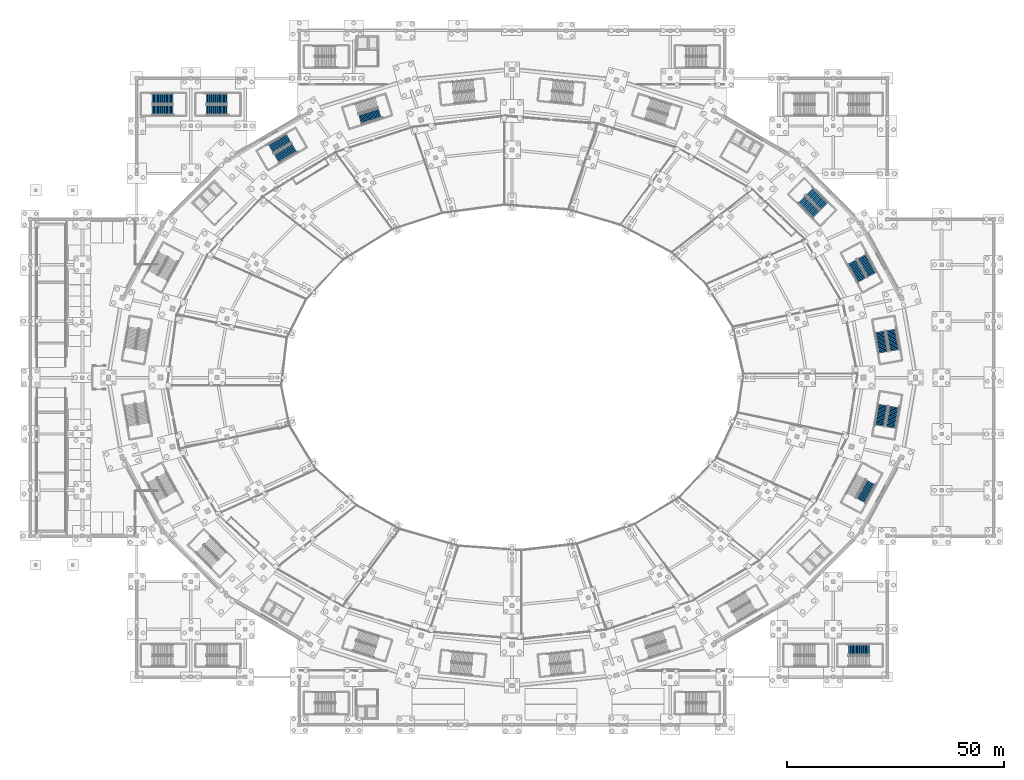
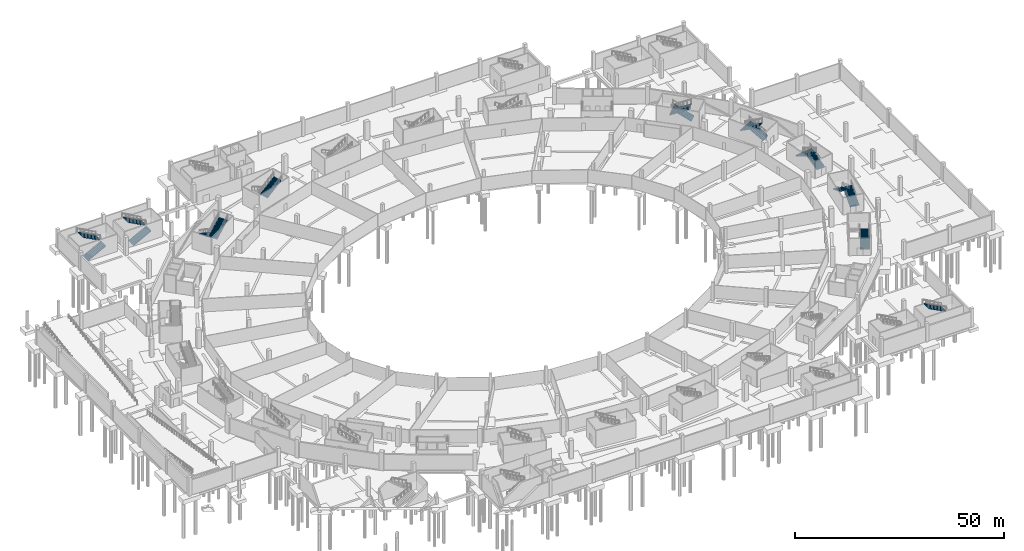
# One storey, part 50 of 74: 17 stair flights, 10 elements without a shape of their own.
"""IFC4 building model written with IfcOpenShell, lengths in metres."""

from ifc_helpers import new_model, si_unit, direction, frame, origin, place, context, subcontext, project, spatial, polyline, outline, extrude, material, type_object, element, aggregate, save


model = new_model("IFC4")

# Units and contexts
model_context = context("Model", 3, precision=1e-05, world=origin(), true_north=direction((0.0, 1.0)))
body_context = subcontext(model_context, "Body", "Model", "MODEL_VIEW")
ifc_project = project(units=[si_unit("LENGTHUNIT", "METRE"), si_unit("AREAUNIT", "SQUARE_METRE"), si_unit("VOLUMEUNIT", "CUBIC_METRE"), si_unit("PLANEANGLEUNIT", "RADIAN"), si_unit("MASSUNIT", "GRAM", prefix="KILO")], contexts=[model_context])

# Site, building, storey
site_placement = place(None, origin())
site = spatial("IfcSite", under=ifc_project, at=site_placement, CompositionType="ELEMENT")
building_placement = place(site_placement, origin())
building = spatial("IfcBuilding", under=site, at=building_placement, Name="Zlatoyarsky Gate Stadium", CompositionType="ELEMENT")
storey_placement = place(building_placement, frame((0.0, 0.0, -5.39990234375)))
storey = spatial("IfcBuildingStorey", under=building, at=storey_placement, Name="B1", CompositionType="ELEMENT", Elevation=-5.39990234375)

# Stair, stair flights
ifc_material = material(Name="Concrete C40/50", Category="concrete")
stair_type = type_object("IfcStairType", Name="CONCRETE DOGLEG EXIT STAIR H5400", PredefinedType="TWO_STRAIGHT_RUN_STAIR", material=ifc_material)
stair_1_placement = place(storey_placement, origin())
stair_1 = element("IfcStair", 1, at=stair_1_placement, inside=storey, type_object=stair_type, Name="B1 Exit Stair ST-01", PredefinedType="TWO_STRAIGHT_RUN_STAIR")
stair_flight_type = type_object("IfcStairFlightType", Name="CONCRETE STAIR FLIGHT 2400 H5400", PredefinedType="STRAIGHT", material=ifc_material)
stair_flight_1_placement = place(storey_placement, frame((199.19287109375, 86.28125, 0.0), z_axis=(0.0, 0.0, 1.0), x_axis=(-0.169937754623, 0.985454798331, 0.0)))
stair_flight_1 = element("IfcStairFlight", 2, at=stair_flight_1_placement, type_object=stair_flight_type, Name="ST-DG54 flight 1", NumberOfRisers=17, NumberOfTreads=16, PredefinedType="STRAIGHT", RiserHeight=0.158823529, TreadLength=0.3, context=body_context, shape_type="SweptSolid", body=[
    extrude(outline(polyline([(-0.006103515625, -0.180908203125), (-0.006103515625, 0.0), (0.0, 0.0), (0.0, 0.158935546875), (0.300048828125, 0.158935546875), (0.300048828125, 0.317626953125), (0.60009765625, 0.317626953125), (0.60009765625, 0.4765625), (0.89990234375, 0.4765625), (0.89990234375, 0.63525390625), (1.199951171875, 0.63525390625), (1.199951171875, 0.794189453125), (1.5, 0.794189453125), (1.5, 0.952880859375), (1.800048828125, 0.952880859375), (1.800048828125, 1.11181640625), (2.10009765625, 1.11181640625), (2.10009765625, 1.2705078125), (2.39990234375, 1.2705078125), (2.39990234375, 1.429443359375), (2.699951171875, 1.429443359375), (2.699951171875, 1.588134765625), (3.0, 1.588134765625), (3.0, 1.7470703125), (3.300048828125, 1.7470703125), (3.300048828125, 1.90576171875), (3.60009765625, 1.90576171875), (3.60009765625, 2.064697265625), (3.89990234375, 2.064697265625), (3.89990234375, 2.2236328125), (4.199951171875, 2.2236328125), (4.199951171875, 2.38232421875), (4.5, 2.38232421875), (4.5, 2.541259765625), (4.800048828125, 2.541259765625), (4.800048828125, 2.699951171875), (4.805908203125, 2.699951171875), (4.805908203125, 2.3603515625), (4.800048828125, 2.3603515625), (-0.006103515625, -0.180908203125)])), frame((0.0, 1.199951171875, 0.0), z_axis=(0.0, -1.0, 0.0), x_axis=(1.0, 0.0, 0.0)), (0.0, 0.0, 1.0), 2.39990234375),
])
stair_flight_2_placement = place(storey_placement, frame((195.81494140625, 90.569580078125, 2.699951171875), z_axis=(0.0, 0.0, 1.0), x_axis=(0.169937754623, -0.985454798331, 0.0)))
stair_flight_2 = element("IfcStairFlight", 3, at=stair_flight_2_placement, type_object=stair_flight_type, Name="ST-DG54 flight 2", NumberOfRisers=17, NumberOfTreads=16, PredefinedType="STRAIGHT", RiserHeight=0.158823529, TreadLength=0.3, context=body_context, shape_type="SweptSolid", body=[
    extrude(outline(polyline([(-0.006103515625, -0.180908203125), (-0.006103515625, 0.0), (0.0, 0.0), (0.0, 0.158935546875), (0.300048828125, 0.158935546875), (0.300048828125, 0.317626953125), (0.60009765625, 0.317626953125), (0.60009765625, 0.4765625), (0.89990234375, 0.4765625), (0.89990234375, 0.63525390625), (1.199951171875, 0.63525390625), (1.199951171875, 0.794189453125), (1.5, 0.794189453125), (1.5, 0.952880859375), (1.800048828125, 0.952880859375), (1.800048828125, 1.11181640625), (2.10009765625, 1.11181640625), (2.10009765625, 1.2705078125), (2.39990234375, 1.2705078125), (2.39990234375, 1.429443359375), (2.699951171875, 1.429443359375), (2.699951171875, 1.588134765625), (3.0, 1.588134765625), (3.0, 1.7470703125), (3.300048828125, 1.7470703125), (3.300048828125, 1.90576171875), (3.60009765625, 1.90576171875), (3.60009765625, 2.064697265625), (3.89990234375, 2.064697265625), (3.89990234375, 2.2236328125), (4.199951171875, 2.2236328125), (4.199951171875, 2.38232421875), (4.5, 2.38232421875), (4.5, 2.541259765625), (4.800048828125, 2.541259765625), (4.800048828125, 2.699951171875), (4.805908203125, 2.699951171875), (4.805908203125, 2.3603515625), (4.800048828125, 2.3603515625), (-0.006103515625, -0.180908203125)])), frame((0.0, 1.199951171875, 0.0), z_axis=(0.0, -1.0, 0.0), x_axis=(1.0, 0.0, 0.0)), (0.0, 0.0, 1.0), 2.39990234375),
])
aggregate(stair_1, [stair_flight_1, stair_flight_2])

stair_2_placement = place(storey_placement, origin())
stair_2 = element("IfcStair", 4, at=stair_2_placement, inside=storey, type_object=stair_type, Name="B1 Exit Stair ST-02", PredefinedType="TWO_STRAIGHT_RUN_STAIR")
stair_flight_3_placement = place(storey_placement, frame((182.98193359375, 119.49658203125, 0.0), z_axis=(0.0, 0.0, 1.0), x_axis=(-0.708901395436, 0.70530760066, 0.0)))
stair_flight_3 = element("IfcStairFlight", 5, at=stair_flight_3_placement, type_object=stair_flight_type, Name="ST-DG54 flight 1", NumberOfRisers=17, NumberOfTreads=16, PredefinedType="STRAIGHT", RiserHeight=0.158823529, TreadLength=0.3, context=body_context, shape_type="SweptSolid", body=[
    extrude(outline(polyline([(-0.006103515625, -0.180908203125), (-0.006103515625, 0.0), (0.0, 0.0), (0.0, 0.158935546875), (0.300048828125, 0.158935546875), (0.300048828125, 0.317626953125), (0.60009765625, 0.317626953125), (0.60009765625, 0.4765625), (0.89990234375, 0.4765625), (0.89990234375, 0.63525390625), (1.199951171875, 0.63525390625), (1.199951171875, 0.794189453125), (1.5, 0.794189453125), (1.5, 0.952880859375), (1.800048828125, 0.952880859375), (1.800048828125, 1.11181640625), (2.10009765625, 1.11181640625), (2.10009765625, 1.2705078125), (2.39990234375, 1.2705078125), (2.39990234375, 1.429443359375), (2.699951171875, 1.429443359375), (2.699951171875, 1.588134765625), (3.0, 1.588134765625), (3.0, 1.7470703125), (3.300048828125, 1.7470703125), (3.300048828125, 1.90576171875), (3.60009765625, 1.90576171875), (3.60009765625, 2.064697265625), (3.89990234375, 2.064697265625), (3.89990234375, 2.2236328125), (4.199951171875, 2.2236328125), (4.199951171875, 2.38232421875), (4.5, 2.38232421875), (4.5, 2.541259765625), (4.800048828125, 2.541259765625), (4.800048828125, 2.699951171875), (4.805908203125, 2.699951171875), (4.805908203125, 2.3603515625), (4.800048828125, 2.3603515625), (-0.006103515625, -0.180908203125)])), frame((0.0, 1.199951171875, 0.0), z_axis=(0.0, -1.0, 0.0), x_axis=(1.0, 0.0, 0.0)), (0.0, 0.0, 1.0), 2.39990234375),
])
stair_flight_4_placement = place(storey_placement, frame((177.745361328125, 121.0390625, 2.699951171875), z_axis=(0.0, 0.0, 1.0), x_axis=(0.708901395436, -0.70530760066, 0.0)))
stair_flight_4 = element("IfcStairFlight", 6, at=stair_flight_4_placement, type_object=stair_flight_type, Name="ST-DG54 flight 2", NumberOfRisers=17, NumberOfTreads=16, PredefinedType="STRAIGHT", RiserHeight=0.158823529, TreadLength=0.3, context=body_context, shape_type="SweptSolid", body=[
    extrude(outline(polyline([(-0.006103515625, -0.180908203125), (-0.006103515625, 0.0), (0.0, 0.0), (0.0, 0.158935546875), (0.300048828125, 0.158935546875), (0.300048828125, 0.317626953125), (0.60009765625, 0.317626953125), (0.60009765625, 0.4765625), (0.89990234375, 0.4765625), (0.89990234375, 0.63525390625), (1.199951171875, 0.63525390625), (1.199951171875, 0.794189453125), (1.5, 0.794189453125), (1.5, 0.952880859375), (1.800048828125, 0.952880859375), (1.800048828125, 1.11181640625), (2.10009765625, 1.11181640625), (2.10009765625, 1.2705078125), (2.39990234375, 1.2705078125), (2.39990234375, 1.429443359375), (2.699951171875, 1.429443359375), (2.699951171875, 1.588134765625), (3.0, 1.588134765625), (3.0, 1.7470703125), (3.300048828125, 1.7470703125), (3.300048828125, 1.90576171875), (3.60009765625, 1.90576171875), (3.60009765625, 2.064697265625), (3.89990234375, 2.064697265625), (3.89990234375, 2.2236328125), (4.199951171875, 2.2236328125), (4.199951171875, 2.38232421875), (4.5, 2.38232421875), (4.5, 2.541259765625), (4.800048828125, 2.541259765625), (4.800048828125, 2.699951171875), (4.805908203125, 2.699951171875), (4.805908203125, 2.3603515625), (4.800048828125, 2.3603515625), (-0.006103515625, -0.180908203125)])), frame((0.0, 1.199951171875, 0.0), z_axis=(0.0, -1.0, 0.0), x_axis=(1.0, 0.0, 0.0)), (0.0, 0.0, 1.0), 2.39990234375),
])
aggregate(stair_2, [stair_flight_3, stair_flight_4])

stair_3_placement = place(storey_placement, origin())
stair_3 = element("IfcStair", 7, at=stair_3_placement, inside=storey, type_object=stair_type, Name="B1 Exit Stair ST-05", PredefinedType="TWO_STRAIGHT_RUN_STAIR")
stair_flight_5_placement = place(storey_placement, frame((59.540771484375, 135.1689453125, 0.0), z_axis=(0.0, 0.0, 1.0), x_axis=(-0.86284821159, -0.505463118096, 0.0)))
stair_flight_5 = element("IfcStairFlight", 8, at=stair_flight_5_placement, type_object=stair_flight_type, Name="ST-DG54 flight 1", NumberOfRisers=17, NumberOfTreads=16, PredefinedType="STRAIGHT", RiserHeight=0.158823529, TreadLength=0.3, context=body_context, shape_type="SweptSolid", body=[
    extrude(outline(polyline([(-0.006103515625, -0.180908203125), (-0.006103515625, 0.0), (0.0, 0.0), (0.0, 0.158935546875), (0.300048828125, 0.158935546875), (0.300048828125, 0.317626953125), (0.60009765625, 0.317626953125), (0.60009765625, 0.4765625), (0.89990234375, 0.4765625), (0.89990234375, 0.63525390625), (1.199951171875, 0.63525390625), (1.199951171875, 0.794189453125), (1.5, 0.794189453125), (1.5, 0.952880859375), (1.800048828125, 0.952880859375), (1.800048828125, 1.11181640625), (2.10009765625, 1.11181640625), (2.10009765625, 1.2705078125), (2.39990234375, 1.2705078125), (2.39990234375, 1.429443359375), (2.699951171875, 1.429443359375), (2.699951171875, 1.588134765625), (3.0, 1.588134765625), (3.0, 1.7470703125), (3.300048828125, 1.7470703125), (3.300048828125, 1.90576171875), (3.60009765625, 1.90576171875), (3.60009765625, 2.064697265625), (3.89990234375, 2.064697265625), (3.89990234375, 2.2236328125), (4.199951171875, 2.2236328125), (4.199951171875, 2.38232421875), (4.5, 2.38232421875), (4.5, 2.541259765625), (4.800048828125, 2.541259765625), (4.800048828125, 2.699951171875), (4.805908203125, 2.699951171875), (4.805908203125, 2.3603515625), (4.800048828125, 2.3603515625), (-0.006103515625, -0.180908203125)])), frame((0.0, 1.199951171875, 0.0), z_axis=(0.0, -1.0, 0.0), x_axis=(1.0, 0.0, 0.0)), (0.0, 0.0, 1.0), 2.39990234375),
])
stair_flight_6_placement = place(storey_placement, frame((56.71337890625, 130.499267578125, 2.699951171875), z_axis=(0.0, 0.0, 1.0), x_axis=(0.86284821159, 0.505463118096, 0.0)))
stair_flight_6 = element("IfcStairFlight", 9, at=stair_flight_6_placement, type_object=stair_flight_type, Name="ST-DG54 flight 2", NumberOfRisers=17, NumberOfTreads=16, PredefinedType="STRAIGHT", RiserHeight=0.158823529, TreadLength=0.3, context=body_context, shape_type="SweptSolid", body=[
    extrude(outline(polyline([(-0.006103515625, -0.180908203125), (-0.006103515625, 0.0), (0.0, 0.0), (0.0, 0.158935546875), (0.300048828125, 0.158935546875), (0.300048828125, 0.317626953125), (0.60009765625, 0.317626953125), (0.60009765625, 0.4765625), (0.89990234375, 0.4765625), (0.89990234375, 0.63525390625), (1.199951171875, 0.63525390625), (1.199951171875, 0.794189453125), (1.5, 0.794189453125), (1.5, 0.952880859375), (1.800048828125, 0.952880859375), (1.800048828125, 1.11181640625), (2.10009765625, 1.11181640625), (2.10009765625, 1.2705078125), (2.39990234375, 1.2705078125), (2.39990234375, 1.429443359375), (2.699951171875, 1.429443359375), (2.699951171875, 1.588134765625), (3.0, 1.588134765625), (3.0, 1.7470703125), (3.300048828125, 1.7470703125), (3.300048828125, 1.90576171875), (3.60009765625, 1.90576171875), (3.60009765625, 2.064697265625), (3.89990234375, 2.064697265625), (3.89990234375, 2.2236328125), (4.199951171875, 2.2236328125), (4.199951171875, 2.38232421875), (4.5, 2.38232421875), (4.5, 2.541259765625), (4.800048828125, 2.541259765625), (4.800048828125, 2.699951171875), (4.805908203125, 2.699951171875), (4.805908203125, 2.3603515625), (4.800048828125, 2.3603515625), (-0.006103515625, -0.180908203125)])), frame((0.0, 1.199951171875, 0.0), z_axis=(0.0, -1.0, 0.0), x_axis=(1.0, 0.0, 0.0)), (0.0, 0.0, 1.0), 2.39990234375),
])
aggregate(stair_3, [stair_flight_5, stair_flight_6])

# Stair, stair flight
stair_4_placement = place(storey_placement, origin())
stair_4 = element("IfcStair", 10, at=stair_4_placement, inside=storey, type_object=stair_type, Name="B1 Exit Stair ST-12", PredefinedType="TWO_STRAIGHT_RUN_STAIR")
stair_flight_7_placement = place(storey_placement, frame((191.4482421875, 51.62646484375, 0.0), z_axis=(0.0, 0.0, 1.0), x_axis=(0.476890318595, 0.878962811518, 0.0)))
stair_flight_7 = element("IfcStairFlight", 11, at=stair_flight_7_placement, type_object=stair_flight_type, Name="ST-DG54 flight 1", NumberOfRisers=17, NumberOfTreads=16, PredefinedType="STRAIGHT", RiserHeight=0.158823529, TreadLength=0.3, context=body_context, shape_type="SweptSolid", body=[
    extrude(outline(polyline([(-0.006103515625, -0.180908203125), (-0.006103515625, 0.0), (0.0, 0.0), (0.0, 0.158935546875), (0.300048828125, 0.158935546875), (0.300048828125, 0.317626953125), (0.60009765625, 0.317626953125), (0.60009765625, 0.4765625), (0.89990234375, 0.4765625), (0.89990234375, 0.63525390625), (1.199951171875, 0.63525390625), (1.199951171875, 0.794189453125), (1.5, 0.794189453125), (1.5, 0.952880859375), (1.800048828125, 0.952880859375), (1.800048828125, 1.11181640625), (2.10009765625, 1.11181640625), (2.10009765625, 1.2705078125), (2.39990234375, 1.2705078125), (2.39990234375, 1.429443359375), (2.699951171875, 1.429443359375), (2.699951171875, 1.588134765625), (3.0, 1.588134765625), (3.0, 1.7470703125), (3.300048828125, 1.7470703125), (3.300048828125, 1.90576171875), (3.60009765625, 1.90576171875), (3.60009765625, 2.064697265625), (3.89990234375, 2.064697265625), (3.89990234375, 2.2236328125), (4.199951171875, 2.2236328125), (4.199951171875, 2.38232421875), (4.5, 2.38232421875), (4.5, 2.541259765625), (4.800048828125, 2.541259765625), (4.800048828125, 2.699951171875), (4.805908203125, 2.699951171875), (4.805908203125, 2.3603515625), (4.800048828125, 2.3603515625), (-0.006103515625, -0.180908203125)])), frame((0.0, 1.199951171875, 0.0), z_axis=(0.0, -1.0, 0.0), x_axis=(1.0, 0.0, 0.0)), (0.0, 0.0, 1.0), 2.39990234375),
])
aggregate(stair_4, [stair_flight_7])

# Stair, stair flights
stair_5_placement = place(storey_placement, origin())
stair_5 = element("IfcStair", 12, at=stair_5_placement, inside=storey, type_object=stair_type, Name="B1 Exit Stair ST-13", PredefinedType="TWO_STRAIGHT_RUN_STAIR")
stair_flight_8_placement = place(storey_placement, frame((193.9755859375, 103.715087890625, 0.0), z_axis=(0.0, 0.0, 1.0), x_axis=(-0.476890318595, 0.878962811518, 0.0)))
stair_flight_8 = element("IfcStairFlight", 13, at=stair_flight_8_placement, type_object=stair_flight_type, Name="ST-DG54 flight 1", NumberOfRisers=17, NumberOfTreads=16, PredefinedType="STRAIGHT", RiserHeight=0.158823529, TreadLength=0.3, context=body_context, shape_type="SweptSolid", body=[
    extrude(outline(polyline([(-0.006103515625, -0.180908203125), (-0.006103515625, 0.0), (0.0, 0.0), (0.0, 0.158935546875), (0.300048828125, 0.158935546875), (0.300048828125, 0.317626953125), (0.60009765625, 0.317626953125), (0.60009765625, 0.4765625), (0.89990234375, 0.4765625), (0.89990234375, 0.63525390625), (1.199951171875, 0.63525390625), (1.199951171875, 0.794189453125), (1.5, 0.794189453125), (1.5, 0.952880859375), (1.800048828125, 0.952880859375), (1.800048828125, 1.11181640625), (2.10009765625, 1.11181640625), (2.10009765625, 1.2705078125), (2.39990234375, 1.2705078125), (2.39990234375, 1.429443359375), (2.699951171875, 1.429443359375), (2.699951171875, 1.588134765625), (3.0, 1.588134765625), (3.0, 1.7470703125), (3.300048828125, 1.7470703125), (3.300048828125, 1.90576171875), (3.60009765625, 1.90576171875), (3.60009765625, 2.064697265625), (3.89990234375, 2.064697265625), (3.89990234375, 2.2236328125), (4.199951171875, 2.2236328125), (4.199951171875, 2.38232421875), (4.5, 2.38232421875), (4.5, 2.541259765625), (4.800048828125, 2.541259765625), (4.800048828125, 2.699951171875), (4.805908203125, 2.699951171875), (4.805908203125, 2.3603515625), (4.800048828125, 2.3603515625), (-0.006103515625, -0.180908203125)])), frame((0.0, 1.199951171875, 0.0), z_axis=(0.0, -1.0, 0.0), x_axis=(1.0, 0.0, 0.0)), (0.0, 0.0, 1.0), 2.39990234375),
])
stair_flight_9_placement = place(storey_placement, frame((189.4013671875, 106.694091796875, 2.699951171875), z_axis=(0.0, 0.0, 1.0), x_axis=(0.476890318595, -0.878962811518, 0.0)))
stair_flight_9 = element("IfcStairFlight", 14, at=stair_flight_9_placement, type_object=stair_flight_type, Name="ST-DG54 flight 2", NumberOfRisers=17, NumberOfTreads=16, PredefinedType="STRAIGHT", RiserHeight=0.158823529, TreadLength=0.3, context=body_context, shape_type="SweptSolid", body=[
    extrude(outline(polyline([(-0.006103515625, -0.180908203125), (-0.006103515625, 0.0), (0.0, 0.0), (0.0, 0.158935546875), (0.300048828125, 0.158935546875), (0.300048828125, 0.317626953125), (0.60009765625, 0.317626953125), (0.60009765625, 0.4765625), (0.89990234375, 0.4765625), (0.89990234375, 0.63525390625), (1.199951171875, 0.63525390625), (1.199951171875, 0.794189453125), (1.5, 0.794189453125), (1.5, 0.952880859375), (1.800048828125, 0.952880859375), (1.800048828125, 1.11181640625), (2.10009765625, 1.11181640625), (2.10009765625, 1.2705078125), (2.39990234375, 1.2705078125), (2.39990234375, 1.429443359375), (2.699951171875, 1.429443359375), (2.699951171875, 1.588134765625), (3.0, 1.588134765625), (3.0, 1.7470703125), (3.300048828125, 1.7470703125), (3.300048828125, 1.90576171875), (3.60009765625, 1.90576171875), (3.60009765625, 2.064697265625), (3.89990234375, 2.064697265625), (3.89990234375, 2.2236328125), (4.199951171875, 2.2236328125), (4.199951171875, 2.38232421875), (4.5, 2.38232421875), (4.5, 2.541259765625), (4.800048828125, 2.541259765625), (4.800048828125, 2.699951171875), (4.805908203125, 2.699951171875), (4.805908203125, 2.3603515625), (4.800048828125, 2.3603515625), (-0.006103515625, -0.180908203125)])), frame((0.0, 1.199951171875, 0.0), z_axis=(0.0, -1.0, 0.0), x_axis=(1.0, 0.0, 0.0)), (0.0, 0.0, 1.0), 2.39990234375),
])
aggregate(stair_5, [stair_flight_8, stair_flight_9])

# Stair, stair flight
stair_6_placement = place(storey_placement, origin())
stair_6 = element("IfcStair", 15, at=stair_6_placement, inside=storey, type_object=stair_type, Name="B1 Exit Stair ST-14", PredefinedType="TWO_STRAIGHT_RUN_STAIR")
stair_flight_10_placement = place(storey_placement, frame((75.96923828125, 139.49169921875, 2.699951171875), z_axis=(0.0, 0.0, 1.0), x_axis=(0.953463118711, 0.301509670257, 0.0)))
stair_flight_10 = element("IfcStairFlight", 16, at=stair_flight_10_placement, type_object=stair_flight_type, Name="ST-DG54 flight 2", NumberOfRisers=17, NumberOfTreads=16, PredefinedType="STRAIGHT", RiserHeight=0.158823529, TreadLength=0.3, context=body_context, shape_type="SweptSolid", body=[
    extrude(outline(polyline([(-0.006103515625, -0.180908203125), (-0.006103515625, 0.0), (0.0, 0.0), (0.0, 0.158935546875), (0.300048828125, 0.158935546875), (0.300048828125, 0.317626953125), (0.60009765625, 0.317626953125), (0.60009765625, 0.4765625), (0.89990234375, 0.4765625), (0.89990234375, 0.63525390625), (1.199951171875, 0.63525390625), (1.199951171875, 0.794189453125), (1.5, 0.794189453125), (1.5, 0.952880859375), (1.800048828125, 0.952880859375), (1.800048828125, 1.11181640625), (2.10009765625, 1.11181640625), (2.10009765625, 1.2705078125), (2.39990234375, 1.2705078125), (2.39990234375, 1.429443359375), (2.699951171875, 1.429443359375), (2.699951171875, 1.588134765625), (3.0, 1.588134765625), (3.0, 1.7470703125), (3.300048828125, 1.7470703125), (3.300048828125, 1.90576171875), (3.60009765625, 1.90576171875), (3.60009765625, 2.064697265625), (3.89990234375, 2.064697265625), (3.89990234375, 2.2236328125), (4.199951171875, 2.2236328125), (4.199951171875, 2.38232421875), (4.5, 2.38232421875), (4.5, 2.541259765625), (4.800048828125, 2.541259765625), (4.800048828125, 2.699951171875), (4.805908203125, 2.699951171875), (4.805908203125, 2.3603515625), (4.800048828125, 2.3603515625), (-0.006103515625, -0.180908203125)])), frame((0.0, 1.199951171875, 0.0), z_axis=(0.0, -1.0, 0.0), x_axis=(1.0, 0.0, 0.0)), (0.0, 0.0, 1.0), 2.39990234375),
])
aggregate(stair_6, [stair_flight_10])

# Stair, stair flights
stair_7_placement = place(storey_placement, origin())
stair_7 = element("IfcStair", 17, at=stair_7_placement, inside=storey, type_object=stair_type, Name="B1 Exit Stair ST-20", PredefinedType="TWO_STRAIGHT_RUN_STAIR")
stair_flight_11_placement = place(storey_placement, frame((198.292236328125, 68.495849609375, 0.0), z_axis=(0.0, 0.0, 1.0), x_axis=(0.169937754623, 0.985454798331, 0.0)))
stair_flight_11 = element("IfcStairFlight", 18, at=stair_flight_11_placement, type_object=stair_flight_type, Name="ST-DG54 flight 1", NumberOfRisers=17, NumberOfTreads=16, PredefinedType="STRAIGHT", RiserHeight=0.158823529, TreadLength=0.3, context=body_context, shape_type="SweptSolid", body=[
    extrude(outline(polyline([(-0.006103515625, -0.180908203125), (-0.006103515625, 0.0), (0.0, 0.0), (0.0, 0.158935546875), (0.300048828125, 0.158935546875), (0.300048828125, 0.317626953125), (0.60009765625, 0.317626953125), (0.60009765625, 0.4765625), (0.89990234375, 0.4765625), (0.89990234375, 0.63525390625), (1.199951171875, 0.63525390625), (1.199951171875, 0.794189453125), (1.5, 0.794189453125), (1.5, 0.952880859375), (1.800048828125, 0.952880859375), (1.800048828125, 1.11181640625), (2.10009765625, 1.11181640625), (2.10009765625, 1.2705078125), (2.39990234375, 1.2705078125), (2.39990234375, 1.429443359375), (2.699951171875, 1.429443359375), (2.699951171875, 1.588134765625), (3.0, 1.588134765625), (3.0, 1.7470703125), (3.300048828125, 1.7470703125), (3.300048828125, 1.90576171875), (3.60009765625, 1.90576171875), (3.60009765625, 2.064697265625), (3.89990234375, 2.064697265625), (3.89990234375, 2.2236328125), (4.199951171875, 2.2236328125), (4.199951171875, 2.38232421875), (4.5, 2.38232421875), (4.5, 2.541259765625), (4.800048828125, 2.541259765625), (4.800048828125, 2.699951171875), (4.805908203125, 2.699951171875), (4.805908203125, 2.3603515625), (4.800048828125, 2.3603515625), (-0.006103515625, -0.180908203125)])), frame((0.0, 1.199951171875, 0.0), z_axis=(0.0, -1.0, 0.0), x_axis=(1.0, 0.0, 0.0)), (0.0, 0.0, 1.0), 2.39990234375),
])
stair_flight_12_placement = place(storey_placement, frame((196.545654296875, 73.66796875, 2.699951171875), z_axis=(0.0, 0.0, 1.0), x_axis=(-0.169937754623, -0.985454798331, 0.0)))
stair_flight_12 = element("IfcStairFlight", 19, at=stair_flight_12_placement, type_object=stair_flight_type, Name="ST-DG54 flight 2", NumberOfRisers=17, NumberOfTreads=16, PredefinedType="STRAIGHT", RiserHeight=0.158823529, TreadLength=0.3, context=body_context, shape_type="SweptSolid", body=[
    extrude(outline(polyline([(-0.006103515625, -0.180908203125), (-0.006103515625, 0.0), (0.0, 0.0), (0.0, 0.158935546875), (0.300048828125, 0.158935546875), (0.300048828125, 0.317626953125), (0.60009765625, 0.317626953125), (0.60009765625, 0.4765625), (0.89990234375, 0.4765625), (0.89990234375, 0.63525390625), (1.199951171875, 0.63525390625), (1.199951171875, 0.794189453125), (1.5, 0.794189453125), (1.5, 0.952880859375), (1.800048828125, 0.952880859375), (1.800048828125, 1.11181640625), (2.10009765625, 1.11181640625), (2.10009765625, 1.2705078125), (2.39990234375, 1.2705078125), (2.39990234375, 1.429443359375), (2.699951171875, 1.429443359375), (2.699951171875, 1.588134765625), (3.0, 1.588134765625), (3.0, 1.7470703125), (3.300048828125, 1.7470703125), (3.300048828125, 1.90576171875), (3.60009765625, 1.90576171875), (3.60009765625, 2.064697265625), (3.89990234375, 2.064697265625), (3.89990234375, 2.2236328125), (4.199951171875, 2.2236328125), (4.199951171875, 2.38232421875), (4.5, 2.38232421875), (4.5, 2.541259765625), (4.800048828125, 2.541259765625), (4.800048828125, 2.699951171875), (4.805908203125, 2.699951171875), (4.805908203125, 2.3603515625), (4.800048828125, 2.3603515625), (-0.006103515625, -0.180908203125)])), frame((0.0, 1.199951171875, 0.0), z_axis=(0.0, -1.0, 0.0), x_axis=(1.0, 0.0, 0.0)), (0.0, 0.0, 1.0), 2.39990234375),
])
aggregate(stair_7, [stair_flight_11, stair_flight_12])

# Stair, stair flight
stair_8_placement = place(storey_placement, origin())
stair_8 = element("IfcStair", 20, at=stair_8_placement, inside=storey, type_object=stair_type, Name="B1 Exit Stair ST-24", PredefinedType="TWO_STRAIGHT_RUN_STAIR")
stair_flight_13_placement = place(storey_placement, frame((193.35009765625, 17.300048828125, 2.699951171875), z_axis=(0.0, 0.0, 1.0), x_axis=(-1.0, 0.0, 0.0)))
stair_flight_13 = element("IfcStairFlight", 21, at=stair_flight_13_placement, type_object=stair_flight_type, Name="ST-DG54 flight 2", NumberOfRisers=17, NumberOfTreads=16, PredefinedType="STRAIGHT", RiserHeight=0.158823529, TreadLength=0.3, context=body_context, shape_type="SweptSolid", body=[
    extrude(outline(polyline([(-0.006103515625, -0.180908203125), (-0.006103515625, 0.0), (0.0, 0.0), (0.0, 0.158935546875), (0.300048828125, 0.158935546875), (0.300048828125, 0.317626953125), (0.60009765625, 0.317626953125), (0.60009765625, 0.4765625), (0.89990234375, 0.4765625), (0.89990234375, 0.63525390625), (1.199951171875, 0.63525390625), (1.199951171875, 0.794189453125), (1.5, 0.794189453125), (1.5, 0.952880859375), (1.800048828125, 0.952880859375), (1.800048828125, 1.11181640625), (2.10009765625, 1.11181640625), (2.10009765625, 1.2705078125), (2.39990234375, 1.2705078125), (2.39990234375, 1.429443359375), (2.699951171875, 1.429443359375), (2.699951171875, 1.588134765625), (3.0, 1.588134765625), (3.0, 1.7470703125), (3.300048828125, 1.7470703125), (3.300048828125, 1.90576171875), (3.60009765625, 1.90576171875), (3.60009765625, 2.064697265625), (3.89990234375, 2.064697265625), (3.89990234375, 2.2236328125), (4.199951171875, 2.2236328125), (4.199951171875, 2.38232421875), (4.5, 2.38232421875), (4.5, 2.541259765625), (4.800048828125, 2.541259765625), (4.800048828125, 2.699951171875), (4.805908203125, 2.699951171875), (4.805908203125, 2.3603515625), (4.800048828125, 2.3603515625), (-0.006103515625, -0.180908203125)])), frame((0.0, 1.199951171875, 0.0), z_axis=(0.0, -1.0, 0.0), x_axis=(1.0, 0.0, 0.0)), (0.0, 0.0, 1.0), 2.39990234375),
])
aggregate(stair_8, [stair_flight_13])

# Stair, stair flights
stair_9_placement = place(storey_placement, origin())
stair_9 = element("IfcStair", 22, at=stair_9_placement, inside=storey, type_object=stair_type, Name="B1 Exit Stair ST-25", PredefinedType="TWO_STRAIGHT_RUN_STAIR")
stair_flight_14_placement = place(storey_placement, frame((28.050048828125, 141.699951171875, 0.0), z_axis=(0.0, 0.0, 1.0), x_axis=(1.0, 0.0, 0.0)))
stair_flight_14 = element("IfcStairFlight", 23, at=stair_flight_14_placement, type_object=stair_flight_type, Name="ST-DG54 flight 1", NumberOfRisers=17, NumberOfTreads=16, PredefinedType="STRAIGHT", RiserHeight=0.158823529, TreadLength=0.3, context=body_context, shape_type="SweptSolid", body=[
    extrude(outline(polyline([(-0.006103515625, -0.180908203125), (-0.006103515625, 0.0), (0.0, 0.0), (0.0, 0.158935546875), (0.300048828125, 0.158935546875), (0.300048828125, 0.317626953125), (0.60009765625, 0.317626953125), (0.60009765625, 0.4765625), (0.89990234375, 0.4765625), (0.89990234375, 0.63525390625), (1.199951171875, 0.63525390625), (1.199951171875, 0.794189453125), (1.5, 0.794189453125), (1.5, 0.952880859375), (1.800048828125, 0.952880859375), (1.800048828125, 1.11181640625), (2.10009765625, 1.11181640625), (2.10009765625, 1.2705078125), (2.39990234375, 1.2705078125), (2.39990234375, 1.429443359375), (2.699951171875, 1.429443359375), (2.699951171875, 1.588134765625), (3.0, 1.588134765625), (3.0, 1.7470703125), (3.300048828125, 1.7470703125), (3.300048828125, 1.90576171875), (3.60009765625, 1.90576171875), (3.60009765625, 2.064697265625), (3.89990234375, 2.064697265625), (3.89990234375, 2.2236328125), (4.199951171875, 2.2236328125), (4.199951171875, 2.38232421875), (4.5, 2.38232421875), (4.5, 2.541259765625), (4.800048828125, 2.541259765625), (4.800048828125, 2.699951171875), (4.805908203125, 2.699951171875), (4.805908203125, 2.3603515625), (4.800048828125, 2.3603515625), (-0.006103515625, -0.180908203125)])), frame((0.0, 1.199951171875, 0.0), z_axis=(0.0, -1.0, 0.0), x_axis=(1.0, 0.0, 0.0)), (0.0, 0.0, 1.0), 2.39990234375),
])
stair_flight_15_placement = place(storey_placement, frame((32.85009765625, 144.300048828125, 2.699951171875), z_axis=(0.0, 0.0, 1.0), x_axis=(-1.0, 0.0, 0.0)))
stair_flight_15 = element("IfcStairFlight", 24, at=stair_flight_15_placement, type_object=stair_flight_type, Name="ST-DG54 flight 2", NumberOfRisers=17, NumberOfTreads=16, PredefinedType="STRAIGHT", RiserHeight=0.158823529, TreadLength=0.3, context=body_context, shape_type="SweptSolid", body=[
    extrude(outline(polyline([(-0.006103515625, -0.180908203125), (-0.006103515625, 0.0), (0.0, 0.0), (0.0, 0.158935546875), (0.300048828125, 0.158935546875), (0.300048828125, 0.317626953125), (0.60009765625, 0.317626953125), (0.60009765625, 0.4765625), (0.89990234375, 0.4765625), (0.89990234375, 0.63525390625), (1.199951171875, 0.63525390625), (1.199951171875, 0.794189453125), (1.5, 0.794189453125), (1.5, 0.952880859375), (1.800048828125, 0.952880859375), (1.800048828125, 1.11181640625), (2.10009765625, 1.11181640625), (2.10009765625, 1.2705078125), (2.39990234375, 1.2705078125), (2.39990234375, 1.429443359375), (2.699951171875, 1.429443359375), (2.699951171875, 1.588134765625), (3.0, 1.588134765625), (3.0, 1.7470703125), (3.300048828125, 1.7470703125), (3.300048828125, 1.90576171875), (3.60009765625, 1.90576171875), (3.60009765625, 2.064697265625), (3.89990234375, 2.064697265625), (3.89990234375, 2.2236328125), (4.199951171875, 2.2236328125), (4.199951171875, 2.38232421875), (4.5, 2.38232421875), (4.5, 2.541259765625), (4.800048828125, 2.541259765625), (4.800048828125, 2.699951171875), (4.805908203125, 2.699951171875), (4.805908203125, 2.3603515625), (4.800048828125, 2.3603515625), (-0.006103515625, -0.180908203125)])), frame((0.0, 1.199951171875, 0.0), z_axis=(0.0, -1.0, 0.0), x_axis=(1.0, 0.0, 0.0)), (0.0, 0.0, 1.0), 2.39990234375),
])
aggregate(stair_9, [stair_flight_14, stair_flight_15])

stair_10_placement = place(storey_placement, origin())
stair_10 = element("IfcStair", 25, at=stair_10_placement, inside=storey, type_object=stair_type, Name="B1 Exit Stair ST-26", PredefinedType="TWO_STRAIGHT_RUN_STAIR")
stair_flight_16_placement = place(storey_placement, frame((40.550048828125, 141.699951171875, 0.0), z_axis=(0.0, 0.0, 1.0), x_axis=(1.0, 0.0, 0.0)))
stair_flight_16 = element("IfcStairFlight", 26, at=stair_flight_16_placement, type_object=stair_flight_type, Name="ST-DG54 flight 1", NumberOfRisers=17, NumberOfTreads=16, PredefinedType="STRAIGHT", RiserHeight=0.158823529, TreadLength=0.3, context=body_context, shape_type="SweptSolid", body=[
    extrude(outline(polyline([(-0.006103515625, -0.180908203125), (-0.006103515625, 0.0), (0.0, 0.0), (0.0, 0.158935546875), (0.300048828125, 0.158935546875), (0.300048828125, 0.317626953125), (0.60009765625, 0.317626953125), (0.60009765625, 0.4765625), (0.89990234375, 0.4765625), (0.89990234375, 0.63525390625), (1.199951171875, 0.63525390625), (1.199951171875, 0.794189453125), (1.5, 0.794189453125), (1.5, 0.952880859375), (1.800048828125, 0.952880859375), (1.800048828125, 1.11181640625), (2.10009765625, 1.11181640625), (2.10009765625, 1.2705078125), (2.39990234375, 1.2705078125), (2.39990234375, 1.429443359375), (2.699951171875, 1.429443359375), (2.699951171875, 1.588134765625), (3.0, 1.588134765625), (3.0, 1.7470703125), (3.300048828125, 1.7470703125), (3.300048828125, 1.90576171875), (3.60009765625, 1.90576171875), (3.60009765625, 2.064697265625), (3.89990234375, 2.064697265625), (3.89990234375, 2.2236328125), (4.199951171875, 2.2236328125), (4.199951171875, 2.38232421875), (4.5, 2.38232421875), (4.5, 2.541259765625), (4.800048828125, 2.541259765625), (4.800048828125, 2.699951171875), (4.805908203125, 2.699951171875), (4.805908203125, 2.3603515625), (4.800048828125, 2.3603515625), (-0.006103515625, -0.180908203125)])), frame((0.0, 1.199951171875, 0.0), z_axis=(0.0, -1.0, 0.0), x_axis=(1.0, 0.0, 0.0)), (0.0, 0.0, 1.0), 2.39990234375),
])
stair_flight_17_placement = place(storey_placement, frame((45.35009765625, 144.300048828125, 2.699951171875), z_axis=(0.0, 0.0, 1.0), x_axis=(-1.0, 0.0, 0.0)))
stair_flight_17 = element("IfcStairFlight", 27, at=stair_flight_17_placement, type_object=stair_flight_type, Name="ST-DG54 flight 2", NumberOfRisers=17, NumberOfTreads=16, PredefinedType="STRAIGHT", RiserHeight=0.158823529, TreadLength=0.3, context=body_context, shape_type="SweptSolid", body=[
    extrude(outline(polyline([(-0.006103515625, -0.180908203125), (-0.006103515625, 0.0), (0.0, 0.0), (0.0, 0.158935546875), (0.300048828125, 0.158935546875), (0.300048828125, 0.317626953125), (0.60009765625, 0.317626953125), (0.60009765625, 0.4765625), (0.89990234375, 0.4765625), (0.89990234375, 0.63525390625), (1.199951171875, 0.63525390625), (1.199951171875, 0.794189453125), (1.5, 0.794189453125), (1.5, 0.952880859375), (1.800048828125, 0.952880859375), (1.800048828125, 1.11181640625), (2.10009765625, 1.11181640625), (2.10009765625, 1.2705078125), (2.39990234375, 1.2705078125), (2.39990234375, 1.429443359375), (2.699951171875, 1.429443359375), (2.699951171875, 1.588134765625), (3.0, 1.588134765625), (3.0, 1.7470703125), (3.300048828125, 1.7470703125), (3.300048828125, 1.90576171875), (3.60009765625, 1.90576171875), (3.60009765625, 2.064697265625), (3.89990234375, 2.064697265625), (3.89990234375, 2.2236328125), (4.199951171875, 2.2236328125), (4.199951171875, 2.38232421875), (4.5, 2.38232421875), (4.5, 2.541259765625), (4.800048828125, 2.541259765625), (4.800048828125, 2.699951171875), (4.805908203125, 2.699951171875), (4.805908203125, 2.3603515625), (4.800048828125, 2.3603515625), (-0.006103515625, -0.180908203125)])), frame((0.0, 1.199951171875, 0.0), z_axis=(0.0, -1.0, 0.0), x_axis=(1.0, 0.0, 0.0)), (0.0, 0.0, 1.0), 2.39990234375),
])
aggregate(stair_10, [stair_flight_16, stair_flight_17])

save(model, "model.ifc")
